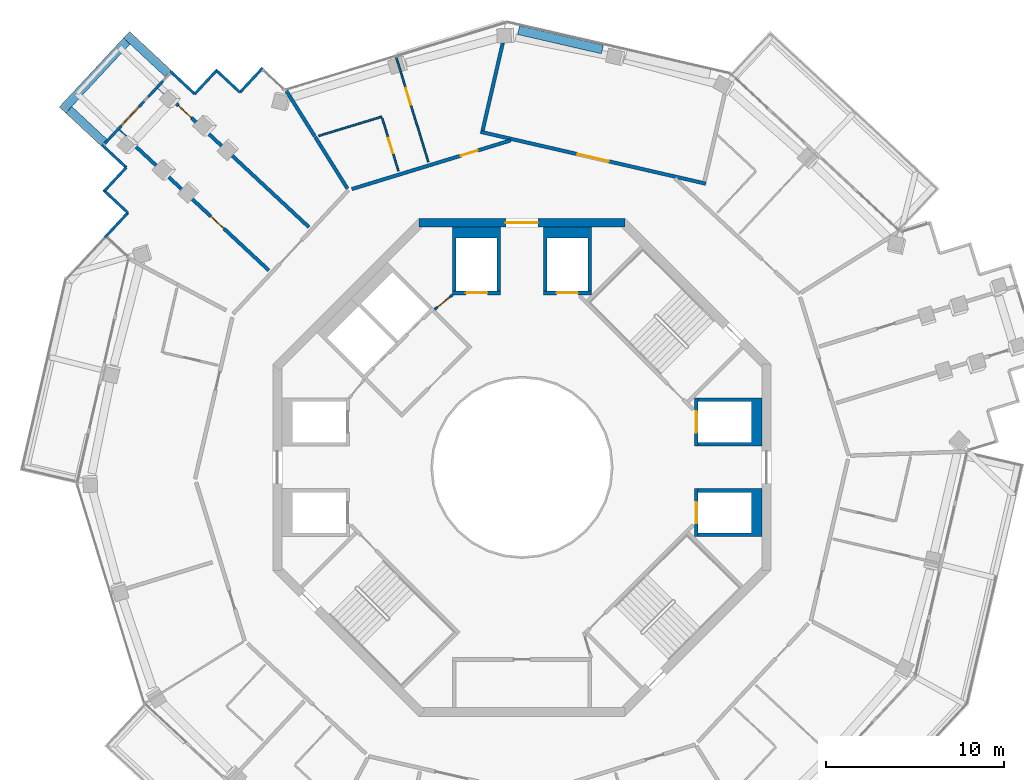
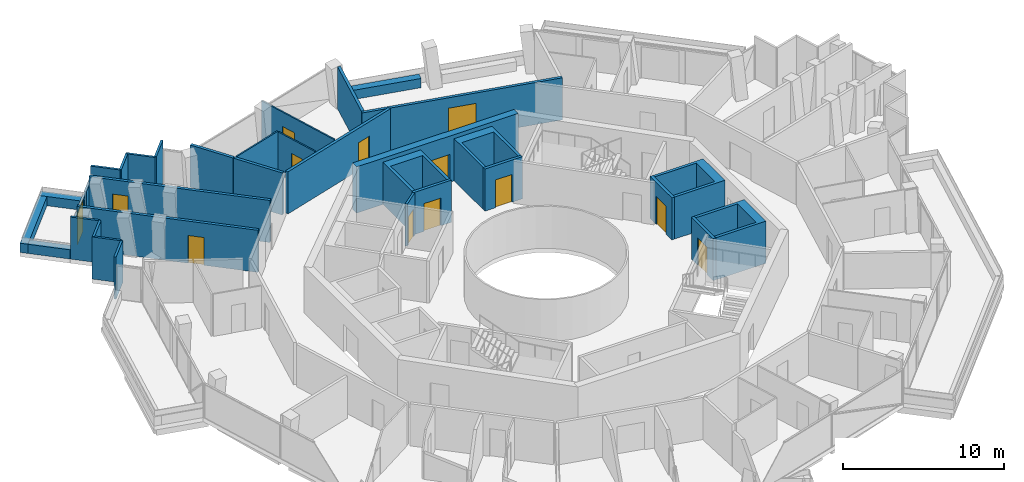
# One storey, part 17 of 21: 34 walls, 13 doors, 13 openings.
"""IFC4 building model written with IfcOpenShell, lengths in metres."""

from ifc_helpers import new_model, si_unit, direction, frame, frame_2d, origin, place, context, subcontext, project, spatial, polyline, rectangle, outline, extrude, material, layer, layer_set, type_object, element, fill, save


model = new_model("IFC4")

# Units and contexts
model_context = context("Model", 3, precision=1e-05, world=origin(), true_north=direction((0.0, 1.0)))
body_context = subcontext(model_context, "Body", "Model", "MODEL_VIEW")
ifc_project = project(units=[si_unit("LENGTHUNIT", "METRE"), si_unit("AREAUNIT", "SQUARE_METRE"), si_unit("VOLUMEUNIT", "CUBIC_METRE"), si_unit("PLANEANGLEUNIT", "RADIAN"), si_unit("MASSUNIT", "GRAM", prefix="KILO")], contexts=[model_context])

# Site, building, storey
site_placement = place(None, origin())
site = spatial("IfcSite", under=ifc_project, at=site_placement, CompositionType="ELEMENT")
building_placement = place(site_placement, origin())
building = spatial("IfcBuilding", under=site, at=building_placement, Name="Verdalira Terraces Hotel", CompositionType="ELEMENT")
storey_placement = place(building_placement, frame((0.0, 0.0, 227.0)))
storey = spatial("IfcBuildingStorey", under=building, at=storey_placement, Name="L55", CompositionType="ELEMENT", Elevation=227.0)

# Walls
ifc_material_1 = material(Name="Concrete C40", Category="concrete")
ifc_layer_1 = layer(ifc_material_1, 0.5)
ifc_layer_set_1 = layer_set([ifc_layer_1], Name="Balcony planter trough with tree")
wall_type_1 = type_object("IfcWallType", Name="Balcony planter trough with tree", PredefinedType="SOLIDWALL", material=ifc_layer_set_1)
wall_1_placement = place(storey_placement, frame((-19.887695, 22.140625, 0.0), z_axis=(0.0, 0.0, 1.0), x_axis=(-0.731844096, 0.681472097, 0.0)))
element("IfcWall", 1, at=wall_1_placement, inside=storey, type_object=wall_type_1, Name="Balcony planter", PredefinedType="SOLIDWALL", context=body_context, shape_type="SweptSolid", body=[
    extrude(rectangle(XDim=3.198975, YDim=0.5, at=frame_2d((1.599609, 0.0))), origin(), (0.0, 0.0, 1.0), 0.699951),
])
wall_2_placement = place(storey_placement, frame((-22.216064, 23.967285, 0.0), z_axis=(0.0, 0.0, 1.0), x_axis=(-0.681484043, -0.731832972, 0.0)))
element("IfcWall", 2, at=wall_2_placement, inside=storey, type_object=wall_type_1, Name="Balcony planter", PredefinedType="SOLIDWALL", context=body_context, shape_type="SweptSolid", body=[
    extrude(rectangle(XDim=5.300049, YDim=0.5, at=frame_2d((2.649902, 0.0))), origin(), (0.0, 0.0, 1.0), 0.699951),
])
wall_3_placement = place(storey_placement, frame((-25.474609, 20.101318, 0.0), z_axis=(0.0, 0.0, 1.0), x_axis=(0.731806852, -0.681512092, 0.0)))
element("IfcWall", 3, at=wall_3_placement, inside=storey, type_object=wall_type_1, Name="Balcony planter", PredefinedType="SOLIDWALL", context=body_context, shape_type="SweptSolid", body=[
    extrude(rectangle(XDim=2.698975, YDim=0.5, at=frame_2d((1.349609, 0.0))), origin(), (0.0, 0.0, 1.0), 0.699951),
])
ifc_material_2 = material(Name="Moisture-resistant gypsum board partition")
ifc_layer_2 = layer(ifc_material_2, 0.10009765625)
ifc_layer_set_2 = layer_set([ifc_layer_2], Name="Bathroom partition 100 mm")
wall_type_2 = type_object("IfcWallType", Name="Bathroom partition 100 mm", PredefinedType="PARTITIONING", material=ifc_layer_set_2)
wall_4_placement = place(storey_placement, frame((-7.881348, 19.714111, 0.0), z_axis=(0.0, 0.0, 1.0), x_axis=(-0.956113314, -0.292997151, 0.0)))
element("IfcWall", 4, at=wall_4_placement, inside=storey, type_object=wall_type_2, Name="Bathroom partition", PredefinedType="PARTITIONING", context=body_context, shape_type="SweptSolid", body=[
    extrude(rectangle(XDim=3.703857, YDim=0.100098, at=frame_2d((1.852051, 0.0))), origin(), (0.0, 0.0, 1.0), 3.189941),
])

# Wall, opening, door
wall_5_placement = place(storey_placement, frame((-6.943604, 16.654785, 0.0), z_axis=(0.0, 0.0, 1.0), x_axis=(-0.293050781, 0.956096878, 0.0)))
wall_5 = element("IfcWall", 5, at=wall_5_placement, inside=storey, type_object=wall_type_2, Name="Bathroom partition", PredefinedType="PARTITIONING", context=body_context, shape_type="SweptSolid", body=[
    extrude(rectangle(XDim=3.099854, YDim=0.100098, at=frame_2d((1.549805, 0.0))), origin(), (0.0, 0.0, 1.0), 3.189941),
])
opening_1_placement = place(wall_5_placement, frame((1.050049, 0.0, 0.0)))
opening_1 = element("IfcOpeningElement", 6, at=opening_1_placement, cuts=wall_5, Name="Opening L55-132", PredefinedType="OPENING", context=body_context, shape_type="SweptSolid", body=[
    extrude(rectangle(XDim=0.899902, YDim=2.100098, at=frame_2d((0.449951, 1.050049))), frame((0.0, 0.060059, 0.0), z_axis=(0.0, -1.0, 0.0), x_axis=(1.0, 0.0, 0.0)), (0.0, 0.0, 1.0), 0.120117),
])
ifc_material_3 = material(Name="Timber door", Category="wood")
door_type_1 = type_object("IfcDoorType", Name="Bathroom door 900 x 2100", OperationType="NOTDEFINED", PredefinedType="DOOR", material=ifc_material_3)
door_1_placement = place(opening_1_placement, origin())
door_1 = element("IfcDoor", 7, at=door_1_placement, inside=storey, type_object=door_type_1, Name="Bathroom door 5511", OperationType="SINGLE_SWING_RIGHT", OverallHeight=2.10009765625, OverallWidth=0.89990234375, PredefinedType="DOOR", context=body_context, shape_type="SweptSolid", body=[
    extrude(rectangle(XDim=0.899902, YDim=2.100098, at=frame_2d((0.449951, 1.050049))), frame((0.0, 0.024902, 0.0), z_axis=(0.0, -1.0, 0.0), x_axis=(1.0, 0.0, 0.0)), (0.0, 0.0, 1.0), 0.050049),
])
fill(opening_1, door_1)

wall_6_placement = place(storey_placement, frame((-5.262451, 17.169922, 0.0), z_axis=(0.0, 0.0, 1.0), x_axis=(-0.293042397, 0.956099448, 0.0)))
wall_6 = element("IfcWall", 8, at=wall_6_placement, inside=storey, type_object=wall_type_2, Name="Bathroom partition", PredefinedType="PARTITIONING", context=body_context, shape_type="SweptSolid", body=[
    extrude(rectangle(XDim=6.150146, YDim=0.100098, at=frame_2d((3.075195, 0.0))), origin(), (0.0, 0.0, 1.0), 3.189941),
])
opening_2_placement = place(wall_6_placement, frame((3.350098, 0.0, 0.0)))
opening_2 = element("IfcOpeningElement", 9, at=opening_2_placement, cuts=wall_6, Name="Opening L55-131", PredefinedType="OPENING", context=body_context, shape_type="SweptSolid", body=[
    extrude(rectangle(XDim=1.0, YDim=2.100098, at=frame_2d((0.5, 1.050049))), frame((0.0, 0.060059, 0.0), z_axis=(0.0, -1.0, 0.0), x_axis=(1.0, 0.0, 0.0)), (0.0, 0.0, 1.0), 0.120117),
])
ifc_material_4 = material(Name="Timber door", Category="wood")
door_type_2 = type_object("IfcDoorType", Name="Suite internal door 1000 x 2100", OperationType="NOTDEFINED", PredefinedType="DOOR", material=ifc_material_4)
door_2_placement = place(opening_2_placement, origin())
door_2 = element("IfcDoor", 10, at=door_2_placement, inside=storey, type_object=door_type_2, Name="Suite internal door 5511", OperationType="SINGLE_SWING_LEFT", OverallHeight=2.10009765625, OverallWidth=1.0, PredefinedType="DOOR", context=body_context, shape_type="SweptSolid", body=[
    extrude(rectangle(XDim=1.0, YDim=2.100098, at=frame_2d((0.5, 1.050049))), frame((0.0, 0.024902, 0.0), z_axis=(0.0, -1.0, 0.0), x_axis=(1.0, 0.0, 0.0)), (0.0, 0.0, 1.0), 0.050049),
])
fill(opening_2, door_2)

# Wall
ifc_material_5 = material(Name="Concrete C50", Category="concrete")
ifc_layer_3 = layer(ifc_material_5, 0.199951171875)
ifc_layer_set_3 = layer_set([ifc_layer_3], Name="Core RC wall 200 C50")
wall_type_3 = type_object("IfcWallType", Name="Core RC wall 200 C50", PredefinedType="SOLIDWALL", material=ifc_layer_set_3)
wall_7_placement = place(storey_placement, origin())
element("IfcWall", 11, at=wall_7_placement, inside=storey, type_object=wall_type_3, Name="L55 shaft wall E1", PredefinedType="SOLIDWALL", context=body_context, shape_type="SweptSolid", body=[
    extrude(outline(polyline([(13.5, -3.899902), (9.899902, -3.899902), (9.899902, -3.699951), (12.899902, -3.699951), (12.899902, -1.399902), (9.899902, -1.399902), (9.899902, -1.199951), (13.5, -1.199951), (13.5, -3.899902)])), origin(), (0.0, 0.0, 1.0), 3.189941),
])

# Wall, opening, door
wall_8_placement = place(storey_placement, frame((9.800049, -1.199951, 0.0), z_axis=(0.0, 0.0, 1.0), x_axis=(0.0, -1.0, 0.0)))
wall_8 = element("IfcWall", 12, at=wall_8_placement, inside=storey, type_object=wall_type_3, Name="L55 shaft front wall E1", PredefinedType="SOLIDWALL", context=body_context, shape_type="SweptSolid", body=[
    extrude(rectangle(XDim=2.699951, YDim=0.199951, at=frame_2d((1.350098, 0.0))), origin(), (0.0, 0.0, 1.0), 3.189941),
])
opening_3_placement = place(wall_8_placement, frame((0.75, 0.0, 0.0)))
opening_3 = element("IfcOpeningElement", 13, at=opening_3_placement, cuts=wall_8, Name="Opening LD-L55-802", PredefinedType="OPENING", context=body_context, shape_type="SweptSolid", body=[
    extrude(rectangle(XDim=1.199951, YDim=2.100098, at=frame_2d((0.600098, 1.050049))), frame((0.0, 0.109863, 0.0), z_axis=(0.0, -1.0, 0.0), x_axis=(1.0, 0.0, 0.0)), (0.0, 0.0, 1.0), 0.219971),
])
ifc_material_6 = material(Name="Stainless steel", Category="steel")
door_type_3 = type_object("IfcDoorType", Name="Landing door 1200 x 2100", OperationType="NOTDEFINED", PredefinedType="DOOR", material=ifc_material_6)
door_3_placement = place(opening_3_placement, origin())
door_3 = element("IfcDoor", 14, at=door_3_placement, inside=storey, type_object=door_type_3, Name="Lift landing door HR1 L55", OperationType="DOUBLE_DOOR_SLIDING", OverallHeight=2.10009765625, OverallWidth=1.199951171875, PredefinedType="DOOR", context=body_context, shape_type="SweptSolid", body=[
    extrude(rectangle(XDim=1.199951, YDim=2.100098, at=frame_2d((0.600098, 1.050049))), frame((0.0, 0.024902, 0.0), z_axis=(0.0, -1.0, 0.0), x_axis=(1.0, 0.0, 0.0)), (0.0, 0.0, 1.0), 0.050049),
])
fill(opening_3, door_3)

# Wall
wall_9_placement = place(storey_placement, origin())
element("IfcWall", 15, at=wall_9_placement, inside=storey, type_object=wall_type_3, Name="L55 shaft wall E2", PredefinedType="SOLIDWALL", context=body_context, shape_type="SweptSolid", body=[
    extrude(outline(polyline([(13.5, 3.899902), (13.5, 1.199951), (9.899902, 1.199951), (9.899902, 1.399902), (12.899902, 1.399902), (12.899902, 3.699951), (9.899902, 3.699951), (9.899902, 3.899902), (13.5, 3.899902)])), origin(), (0.0, 0.0, 1.0), 3.189941),
])

# Wall, opening, door
wall_10_placement = place(storey_placement, frame((9.800049, 1.199951, 0.0), z_axis=(0.0, 0.0, 1.0), x_axis=(0.0, 1.0, 0.0)))
wall_10 = element("IfcWall", 16, at=wall_10_placement, inside=storey, type_object=wall_type_3, Name="L55 shaft front wall E2", PredefinedType="SOLIDWALL", context=body_context, shape_type="SweptSolid", body=[
    extrude(rectangle(XDim=2.699951, YDim=0.199951, at=frame_2d((1.350098, 0.0))), origin(), (0.0, 0.0, 1.0), 3.189941),
])
opening_4_placement = place(wall_10_placement, frame((0.75, 0.0, 0.0)))
opening_4 = element("IfcOpeningElement", 17, at=opening_4_placement, cuts=wall_10, Name="Opening LD-L55-803", PredefinedType="OPENING", context=body_context, shape_type="SweptSolid", body=[
    extrude(rectangle(XDim=1.199951, YDim=2.100098, at=frame_2d((0.600098, 1.050049))), frame((0.0, 0.109863, 0.0), z_axis=(0.0, -1.0, 0.0), x_axis=(1.0, 0.0, 0.0)), (0.0, 0.0, 1.0), 0.219971),
])
door_4_placement = place(opening_4_placement, origin())
door_4 = element("IfcDoor", 18, at=door_4_placement, inside=storey, type_object=door_type_3, Name="Lift landing door HR2 L55", OperationType="DOUBLE_DOOR_SLIDING", OverallHeight=2.10009765625, OverallWidth=1.199951171875, PredefinedType="DOOR", context=body_context, shape_type="SweptSolid", body=[
    extrude(rectangle(XDim=1.199951, YDim=2.100098, at=frame_2d((0.600098, 1.050049))), frame((0.0, 0.024902, 0.0), z_axis=(0.0, -1.0, 0.0), x_axis=(1.0, 0.0, 0.0)), (0.0, 0.0, 1.0), 0.050049),
])
fill(opening_4, door_4)

# Wall
wall_11_placement = place(storey_placement, origin())
element("IfcWall", 19, at=wall_11_placement, inside=storey, type_object=wall_type_3, Name="L55 shaft wall N1", PredefinedType="SOLIDWALL", context=body_context, shape_type="SweptSolid", body=[
    extrude(outline(polyline([(3.899902, 9.899902), (3.699951, 9.899902), (3.699951, 12.899902), (1.399902, 12.899902), (1.399902, 9.899902), (1.199951, 9.899902), (1.199951, 13.5), (3.899902, 13.5), (3.899902, 9.899902)])), origin(), (0.0, 0.0, 1.0), 3.189941),
])

# Wall, opening, door
wall_12_placement = place(storey_placement, frame((1.199951, 9.800049, 0.0), z_axis=(0.0, 0.0, 1.0), x_axis=(1.0, 0.0, 0.0)))
wall_12 = element("IfcWall", 20, at=wall_12_placement, inside=storey, type_object=wall_type_3, Name="L55 shaft front wall N1", PredefinedType="SOLIDWALL", context=body_context, shape_type="SweptSolid", body=[
    extrude(rectangle(XDim=2.699951, YDim=0.199951, at=frame_2d((1.350098, 0.0))), origin(), (0.0, 0.0, 1.0), 3.189941),
])
opening_5_placement = place(wall_12_placement, frame((0.75, 0.0, 0.0)))
opening_5 = element("IfcOpeningElement", 21, at=opening_5_placement, cuts=wall_12, Name="Opening LD-L55-804", PredefinedType="OPENING", context=body_context, shape_type="SweptSolid", body=[
    extrude(rectangle(XDim=1.199951, YDim=2.100098, at=frame_2d((0.600098, 1.050049))), frame((0.0, 0.109863, 0.0), z_axis=(0.0, -1.0, 0.0), x_axis=(1.0, 0.0, 0.0)), (0.0, 0.0, 1.0), 0.219971),
])
door_5_placement = place(opening_5_placement, origin())
door_5 = element("IfcDoor", 22, at=door_5_placement, inside=storey, type_object=door_type_3, Name="Lift landing door HR3 L55", OperationType="DOUBLE_DOOR_SLIDING", OverallHeight=2.10009765625, OverallWidth=1.199951171875, PredefinedType="DOOR", context=body_context, shape_type="SweptSolid", body=[
    extrude(rectangle(XDim=1.199951, YDim=2.100098, at=frame_2d((0.600098, 1.050049))), frame((0.0, 0.024902, 0.0), z_axis=(0.0, -1.0, 0.0), x_axis=(1.0, 0.0, 0.0)), (0.0, 0.0, 1.0), 0.050049),
])
fill(opening_5, door_5)

# Wall
wall_13_placement = place(storey_placement, origin())
element("IfcWall", 23, at=wall_13_placement, inside=storey, type_object=wall_type_3, Name="L55 shaft wall N2", PredefinedType="SOLIDWALL", context=body_context, shape_type="SweptSolid", body=[
    extrude(outline(polyline([(-3.899902, 13.5), (-1.199951, 13.5), (-1.199951, 9.899902), (-1.399902, 9.899902), (-1.399902, 12.899902), (-3.699951, 12.899902), (-3.699951, 9.899902), (-3.899902, 9.899902), (-3.899902, 13.5)])), origin(), (0.0, 0.0, 1.0), 3.189941),
])

# Wall, opening, door
wall_14_placement = place(storey_placement, frame((-1.199951, 9.800049, 0.0), z_axis=(0.0, 0.0, 1.0), x_axis=(-1.0, 0.0, 0.0)))
wall_14 = element("IfcWall", 24, at=wall_14_placement, inside=storey, type_object=wall_type_3, Name="L55 shaft front wall N2", PredefinedType="SOLIDWALL", context=body_context, shape_type="SweptSolid", body=[
    extrude(rectangle(XDim=2.699951, YDim=0.199951, at=frame_2d((1.350098, 0.0))), origin(), (0.0, 0.0, 1.0), 3.189941),
])
opening_6_placement = place(wall_14_placement, frame((0.75, 0.0, 0.0)))
opening_6 = element("IfcOpeningElement", 25, at=opening_6_placement, cuts=wall_14, Name="Opening LD-L55-805", PredefinedType="OPENING", context=body_context, shape_type="SweptSolid", body=[
    extrude(rectangle(XDim=1.199951, YDim=2.100098, at=frame_2d((0.600098, 1.050049))), frame((0.0, 0.109863, 0.0), z_axis=(0.0, -1.0, 0.0), x_axis=(1.0, 0.0, 0.0)), (0.0, 0.0, 1.0), 0.219971),
])
door_6_placement = place(opening_6_placement, origin())
door_6 = element("IfcDoor", 26, at=door_6_placement, inside=storey, type_object=door_type_3, Name="Lift landing door HR4 L55", OperationType="DOUBLE_DOOR_SLIDING", OverallHeight=2.10009765625, OverallWidth=1.199951171875, PredefinedType="DOOR", context=body_context, shape_type="SweptSolid", body=[
    extrude(rectangle(XDim=1.199951, YDim=2.100098, at=frame_2d((0.600098, 1.050049))), frame((0.0, 0.024902, 0.0), z_axis=(0.0, -1.0, 0.0), x_axis=(1.0, 0.0, 0.0)), (0.0, 0.0, 1.0), 0.050049),
])
fill(opening_6, door_6)

ifc_material_7 = material(Name="Gypsum board partition")
ifc_layer_4 = layer(ifc_material_7, 0.14990234375)
ifc_layer_set_4 = layer_set([ifc_layer_4], Name="Core partition 150 mm")
wall_type_4 = type_object("IfcWallType", Name="Core partition 150 mm", PredefinedType="PARTITIONING", material=ifc_layer_set_4)
wall_15_placement = place(storey_placement, frame((-3.899902, 9.699951, 0.0), z_axis=(0.0, 0.0, 1.0), x_axis=(-0.775559878, -0.631274009, 0.0)))
wall_15 = element("IfcWall", 27, at=wall_15_placement, inside=storey, type_object=wall_type_4, Name="Room partition L55", PredefinedType="PARTITIONING", context=body_context, shape_type="SweptSolid", body=[
    extrude(rectangle(XDim=1.307861, YDim=0.149902, at=frame_2d((0.653809, 0.0))), origin(), (0.0, 0.0, 1.0), 3.189941),
])
opening_7_placement = place(wall_15_placement, frame((0.204102, 0.0, 0.0)))
opening_7 = element("IfcOpeningElement", 28, at=opening_7_placement, cuts=wall_15, Name="Opening L55-820", PredefinedType="OPENING", context=body_context, shape_type="SweptSolid", body=[
    extrude(rectangle(XDim=0.899902, YDim=2.100098, at=frame_2d((0.449951, 1.050049))), frame((0.0, 0.084961, 0.0), z_axis=(0.0, -1.0, 0.0), x_axis=(1.0, 0.0, 0.0)), (0.0, 0.0, 1.0), 0.169922),
])
ifc_material_8 = material(Name="Steel fire door", Category="steel")
door_type_4 = type_object("IfcDoorType", Name="Core room door 900 x 2100", OperationType="NOTDEFINED", PredefinedType="DOOR", material=ifc_material_8)
door_7_placement = place(opening_7_placement, origin())
door_7 = element("IfcDoor", 29, at=door_7_placement, inside=storey, type_object=door_type_4, Name="Door L55 room2", OperationType="SINGLE_SWING_LEFT", OverallHeight=2.10009765625, OverallWidth=0.89990234375, PredefinedType="DOOR", context=body_context, shape_type="SweptSolid", body=[
    extrude(rectangle(XDim=0.899902, YDim=2.100098, at=frame_2d((0.449951, 1.050049))), frame((0.0, 0.024902, 0.0), z_axis=(0.0, -1.0, 0.0), x_axis=(1.0, 0.0, 0.0)), (0.0, 0.0, 1.0), 0.050049),
])
fill(opening_7, door_7)

ifc_material_9 = material(Name="Concrete C50", Category="concrete")
ifc_layer_5 = layer(ifc_material_9, 0.5)
ifc_layer_set_5 = layer_set([ifc_layer_5], Name="Core wall 500 C50")
wall_type_5 = type_object("IfcWallType", Name="Core wall 500 C50", PredefinedType="SHEAR", material=ifc_layer_set_5)
wall_16_placement = place(storey_placement, frame((5.799072, 13.75, 0.0), z_axis=(0.0, 0.0, 1.0), x_axis=(-1.0, 0.0, 0.0)))
wall_16 = element("IfcWall", 30, at=wall_16_placement, inside=storey, type_object=wall_type_5, Name="Core wall CW-L55-3", PredefinedType="SHEAR", context=body_context, shape_type="SweptSolid", body=[
    extrude(rectangle(XDim=11.598145, YDim=0.5, at=frame_2d((5.799072, 0.0))), origin(), (0.0, 0.0, 1.0), 3.5),
])
opening_8_placement = place(wall_16_placement, frame((4.898926, 0.0, 0.0)))
opening_8 = element("IfcOpeningElement", 31, at=opening_8_placement, cuts=wall_16, Name="Opening L55-814", PredefinedType="OPENING", context=body_context, shape_type="SweptSolid", body=[
    extrude(rectangle(XDim=1.800049, YDim=2.100098, at=frame_2d((0.899902, 1.050049))), frame((0.0, 0.26001, 0.0), z_axis=(0.0, -1.0, 0.0), x_axis=(1.0, 0.0, 0.0)), (0.0, 0.0, 1.0), 0.52002),
])
ifc_material_10 = material(Name="Steel fire door", Category="steel")
door_type_5 = type_object("IfcDoorType", Name="Core entry door pair 1800 x 2100", OperationType="NOTDEFINED", PredefinedType="DOOR", material=ifc_material_10)
door_8_placement = place(opening_8_placement, origin())
door_8 = element("IfcDoor", 32, at=door_8_placement, inside=storey, type_object=door_type_5, Name="Core entry door L55 2", OperationType="DOUBLE_DOOR_SINGLE_SWING", OverallHeight=2.10009765625, OverallWidth=1.800048828125, PredefinedType="DOOR", context=body_context, shape_type="SweptSolid", body=[
    extrude(rectangle(XDim=1.800049, YDim=2.100098, at=frame_2d((0.899902, 1.050049))), frame((0.0, 0.024902, 0.0), z_axis=(0.0, -1.0, 0.0), x_axis=(1.0, 0.0, 0.0)), (0.0, 0.0, 1.0), 0.050049),
])
fill(opening_8, door_8)

ifc_material_11 = material(Name="Fire-rated gypsum board wall")
ifc_layer_6 = layer(ifc_material_11, 0.199951171875)
ifc_layer_set_6 = layer_set([ifc_layer_6], Name="Demising wall 200 mm")
wall_type_6 = type_object("IfcWallType", Name="Demising wall 200 mm", PredefinedType="SOLIDWALL", material=ifc_layer_set_6)
wall_17_placement = place(storey_placement, frame((-14.228516, 11.072021, 0.0), z_axis=(0.0, 0.0, 1.0), x_axis=(-0.731837547, 0.68147913, 0.0)))
wall_17 = element("IfcWall", 33, at=wall_17_placement, inside=storey, type_object=wall_type_6, Name="Demising wall", PredefinedType="SOLIDWALL", context=body_context, shape_type="SweptSolid", body=[
    extrude(rectangle(XDim=11.533447, YDim=0.199951, at=frame_2d((5.766602, 0.0))), origin(), (0.0, 0.0, 1.0), 3.189941),
])
opening_9_placement = place(wall_17_placement, frame((3.449951, 0.0, 0.0)))
opening_9 = element("IfcOpeningElement", 34, at=opening_9_placement, cuts=wall_17, Name="Opening L55-103", PredefinedType="OPENING", context=body_context, shape_type="SweptSolid", body=[
    extrude(rectangle(XDim=1.0, YDim=2.100098, at=frame_2d((0.5, 1.050049))), frame((0.0, 0.109863, 0.0), z_axis=(0.0, -1.0, 0.0), x_axis=(1.0, 0.0, 0.0)), (0.0, 0.0, 1.0), 0.219971),
])
ifc_material_12 = material(Name="Timber fire door", Category="wood")
door_type_6 = type_object("IfcDoorType", Name="Public room door 1000 x 2100", OperationType="NOTDEFINED", PredefinedType="DOOR", material=ifc_material_12)
door_9_placement = place(opening_9_placement, origin())
door_9 = element("IfcDoor", 35, at=door_9_placement, inside=storey, type_object=door_type_6, Name="Public room door 5501", OperationType="SINGLE_SWING_LEFT", OverallHeight=2.10009765625, OverallWidth=1.0, PredefinedType="DOOR", context=body_context, shape_type="SweptSolid", body=[
    extrude(rectangle(XDim=1.0, YDim=2.100098, at=frame_2d((0.5, 1.050049))), frame((0.0, 0.024902, 0.0), z_axis=(0.0, -1.0, 0.0), x_axis=(1.0, 0.0, 0.0)), (0.0, 0.0, 1.0), 0.050049),
])
fill(opening_9, door_9)

wall_18_placement = place(storey_placement, frame((-20.4104, 21.357666, 0.0), z_axis=(0.0, 0.0, 1.0), x_axis=(0.731837547, -0.68147913, 0.0)))
wall_18 = element("IfcWall", 36, at=wall_18_placement, inside=storey, type_object=wall_type_6, Name="Demising wall", PredefinedType="SOLIDWALL", context=body_context, shape_type="SweptSolid", body=[
    extrude(rectangle(XDim=11.533447, YDim=0.199951, at=frame_2d((5.766602, 0.0))), origin(), (0.0, 0.0, 1.0), 3.189941),
])
opening_10_placement = place(wall_18_placement, frame((1.5, 0.0, 0.0)))
opening_10 = element("IfcOpeningElement", 37, at=opening_10_placement, cuts=wall_18, Name="Opening L55-102", PredefinedType="OPENING", context=body_context, shape_type="SweptSolid", body=[
    extrude(rectangle(XDim=1.0, YDim=2.100098, at=frame_2d((0.5, 1.050049))), frame((0.0, 0.109863, 0.0), z_axis=(0.0, -1.0, 0.0), x_axis=(1.0, 0.0, 0.0)), (0.0, 0.0, 1.0), 0.219971),
])
door_10_placement = place(opening_10_placement, origin())
door_10 = element("IfcDoor", 38, at=door_10_placement, inside=storey, type_object=door_type_6, Name="Public room door 5501", OperationType="SINGLE_SWING_LEFT", OverallHeight=2.10009765625, OverallWidth=1.0, PredefinedType="DOOR", context=body_context, shape_type="SweptSolid", body=[
    extrude(rectangle(XDim=1.0, YDim=2.100098, at=frame_2d((0.5, 1.050049))), frame((0.0, 0.024902, 0.0), z_axis=(0.0, -1.0, 0.0), x_axis=(1.0, 0.0, 0.0)), (0.0, 0.0, 1.0), 0.050049),
])
fill(opening_10, door_10)

# Walls
wall_19_placement = place(storey_placement, frame((-13.243652, 21.161621, 0.0), z_axis=(0.0, 0.0, 1.0), x_axis=(0.530523518, -0.847670217, 0.0)))
element("IfcWall", 39, at=wall_19_placement, inside=storey, type_object=wall_type_6, Name="Demising wall", PredefinedType="SOLIDWALL", context=body_context, shape_type="SweptSolid", body=[
    extrude(rectangle(XDim=3.011475, YDim=0.199951, at=frame_2d((1.505859, 0.0))), origin(), (0.0, 0.0, 1.0), 3.189941),
])
wall_20_placement = place(storey_placement, frame((-11.621826, 18.569824, 0.0), z_axis=(0.0, 0.0, 1.0), x_axis=(0.530506006, -0.847681177, 0.0)))
element("IfcWall", 40, at=wall_20_placement, inside=storey, type_object=wall_type_6, Name="Demising wall", PredefinedType="SOLIDWALL", context=body_context, shape_type="SweptSolid", body=[
    extrude(rectangle(XDim=3.418457, YDim=0.199951, at=frame_2d((1.709229, 0.0))), origin(), (0.0, 0.0, 1.0), 3.189941),
])

# Wall, opening, door
ifc_material_13 = material(Name="Fire-rated gypsum board wall")
ifc_layer_7 = layer(ifc_material_13, 0.199951171875)
ifc_layer_set_7 = layer_set([ifc_layer_7], Name="Guest corridor wall 200 mm")
wall_type_7 = type_object("IfcWallType", Name="Guest corridor wall 200 mm", PredefinedType="SOLIDWALL", material=ifc_layer_set_7)
wall_21_placement = place(storey_placement, frame((-9.562012, 15.643066, 0.0), z_axis=(0.0, 0.0, 1.0), x_axis=(0.956105208, 0.293023601, 0.0)))
wall_21 = element("IfcWall", 41, at=wall_21_placement, inside=storey, type_object=wall_type_7, Name="Guest corridor wall", PredefinedType="SOLIDWALL", context=body_context, shape_type="SweptSolid", body=[
    extrude(rectangle(XDim=9.33667, YDim=0.199951, at=frame_2d((4.668457, 0.0))), origin(), (0.0, 0.0, 1.0), 3.189941),
])
opening_11_placement = place(wall_21_placement, frame((6.408203, 0.0, 0.0)))
opening_11 = element("IfcOpeningElement", 42, at=opening_11_placement, cuts=wall_21, Name="Opening L55-130", PredefinedType="OPENING", context=body_context, shape_type="SweptSolid", body=[
    extrude(rectangle(XDim=1.0, YDim=2.100098, at=frame_2d((0.5, 1.050049))), frame((0.0, 0.109863, 0.0), z_axis=(0.0, -1.0, 0.0), x_axis=(1.0, 0.0, 0.0)), (0.0, 0.0, 1.0), 0.219971),
])
ifc_material_14 = material(Name="Timber fire door", Category="wood")
door_type_7 = type_object("IfcDoorType", Name="Guest entry door 1000 x 2100", OperationType="NOTDEFINED", PredefinedType="DOOR", material=ifc_material_14)
door_11_placement = place(opening_11_placement, origin())
door_11 = element("IfcDoor", 43, at=door_11_placement, inside=storey, type_object=door_type_7, Name="Guest entry door 5511", OperationType="SINGLE_SWING_LEFT", OverallHeight=2.10009765625, OverallWidth=1.0, PredefinedType="DOOR", context=body_context, shape_type="SweptSolid", body=[
    extrude(rectangle(XDim=1.0, YDim=2.100098, at=frame_2d((0.5, 1.050049))), frame((0.0, 0.024902, 0.0), z_axis=(0.0, -1.0, 0.0), x_axis=(1.0, 0.0, 0.0)), (0.0, 0.0, 1.0), 0.050049),
])
fill(opening_11, door_11)

ifc_material_15 = material(Name="Terracotta cladding", Category="masonry")
ifc_layer_8 = layer(ifc_material_15, 0.199951171875)
ifc_layer_set_8 = layer_set([ifc_layer_8], Name="Loggia back wall 200")
wall_type_8 = type_object("IfcWallType", Name="Loggia back wall 200", PredefinedType="SOLIDWALL", material=ifc_layer_set_8)
wall_22_placement = place(storey_placement, frame((-2.329346, 18.861084, 0.0), z_axis=(0.0, 0.0, 1.0), x_axis=(0.974527119, -0.224269692, 0.0)))
wall_22 = element("IfcWall", 44, at=wall_22_placement, inside=storey, type_object=wall_type_8, Name="Loggia back wall", PredefinedType="SOLIDWALL", context=body_context, shape_type="SweptSolid", body=[
    extrude(rectangle(XDim=13.0, YDim=0.199951, at=frame_2d((6.5, 0.0))), origin(), (0.0, 0.0, 1.0), 3.189941),
])
opening_12_placement = place(wall_22_placement, frame((5.600098, 0.0, 0.0)))
opening_12 = element("IfcOpeningElement", 45, at=opening_12_placement, cuts=wall_22, Name="Opening L55-L01", PredefinedType="OPENING", context=body_context, shape_type="SweptSolid", body=[
    extrude(rectangle(XDim=1.800049, YDim=2.399902, at=frame_2d((0.899902, 1.199951))), frame((0.0, 0.109863, 0.0), z_axis=(0.0, -1.0, 0.0), x_axis=(1.0, 0.0, 0.0)), (0.0, 0.0, 1.0), 0.219971),
])
ifc_material_16 = material(Name="Clear glass", Category="glass")
door_type_8 = type_object("IfcDoorType", Name="Garden double door 1800x2400", OperationType="NOTDEFINED", PredefinedType="DOOR", material=ifc_material_16)
door_12_placement = place(opening_12_placement, origin())
door_12 = element("IfcDoor", 46, at=door_12_placement, inside=storey, type_object=door_type_8, Name="Loggia double door", OperationType="DOUBLE_DOOR_SINGLE_SWING", OverallHeight=2.39990234375, OverallWidth=1.800048828125, PredefinedType="DOOR", context=body_context, shape_type="SweptSolid", body=[
    extrude(rectangle(XDim=1.800049, YDim=2.399902, at=frame_2d((0.899902, 1.199951))), frame((0.0, 0.024902, 0.0), z_axis=(0.0, -1.0, 0.0), x_axis=(1.0, 0.0, 0.0)), (0.0, 0.0, 1.0), 0.050049),
])
fill(opening_12, door_12)

# Walls
wall_23_placement = place(storey_placement, frame((-1.076416, 23.859619, 0.0), z_axis=(0.0, 0.0, 1.0), x_axis=(-0.224277121, -0.974525409, 0.0)))
element("IfcWall", 47, at=wall_23_placement, inside=storey, type_object=wall_type_8, Name="Loggia side wall", PredefinedType="SOLIDWALL", context=body_context, shape_type="SweptSolid", body=[
    extrude(rectangle(XDim=5.052002, YDim=0.199951, at=frame_2d((2.525879, 0.0))), origin(), (0.0, 0.0, 1.0), 3.189941),
])
ifc_material_17 = material(Name="Concrete C40", Category="concrete")
ifc_layer_9 = layer(ifc_material_17, 0.5)
ifc_layer_set_9 = layer_set([ifc_layer_9], Name="Loggia planter trough with tree")
wall_type_9 = type_object("IfcWallType", Name="Loggia planter trough with tree", PredefinedType="SOLIDWALL", material=ifc_layer_set_9)
wall_24_placement = place(storey_placement, frame((4.522705, 23.492432, 0.0), z_axis=(0.0, 0.0, 1.0), x_axis=(-0.974528043, 0.224265677, 0.0)))
element("IfcWall", 48, at=wall_24_placement, inside=storey, type_object=wall_type_9, Name="Loggia planter", PredefinedType="SOLIDWALL", context=body_context, shape_type="SweptSolid", body=[
    extrude(rectangle(XDim=4.834473, YDim=0.5, at=frame_2d((2.417236, 0.0))), origin(), (0.0, 0.0, 1.0), 0.699951),
])
ifc_material_18 = material(Name="Terracotta cladding", Category="masonry")
ifc_layer_10 = layer(ifc_material_18, 0.14990234375)
ifc_layer_set_10 = layer_set([ifc_layer_10], Name="Terracotta clad wall 150")
wall_type_10 = type_object("IfcWallType", Name="Terracotta clad wall 150", PredefinedType="SOLIDWALL", material=ifc_layer_set_10)
wall_25_placement = place(storey_placement, frame((-14.57373, 22.452881, 0.0), z_axis=(0.0, 0.0, 1.0), x_axis=(-0.681459419, -0.731855902, 0.0)))
element("IfcWall", 49, at=wall_25_placement, inside=storey, type_object=wall_type_10, Name="Terracotta cladding wall", PredefinedType="SOLIDWALL", context=body_context, shape_type="SweptSolid", body=[
    extrude(rectangle(XDim=1.874756, YDim=0.149902, at=frame_2d((0.9375, 0.0))), origin(), (0.0, 0.0, 1.0), 3.189941),
])
wall_26_placement = place(storey_placement, frame((-15.851318, 21.080811, 0.0), z_axis=(0.0, 0.0, 1.0), x_axis=(-0.731884644, 0.681428549, 0.0)))
element("IfcWall", 50, at=wall_26_placement, inside=storey, type_object=wall_type_10, Name="Terracotta cladding wall", PredefinedType="SOLIDWALL", context=body_context, shape_type="SweptSolid", body=[
    extrude(rectangle(XDim=1.800049, YDim=0.149902, at=frame_2d((0.899902, 0.0))), origin(), (0.0, 0.0, 1.0), 3.189941),
])
for number, where, z_axis, x_axis, name in (
    (51, (-17.117676, 22.362305, 0.0), (0.0, 0.0, 1.0), (-0.681529159, -0.731790958, 0.0), "Terracotta cladding wall"),
    (52, (-18.395508, 20.990234, 0.0), (0.0, 0.0, 1.0), (-0.731790958, 0.681529159, 0.0), "Terracotta cladding wall"),
    (53, (-23.61792, 18.133057, 0.0), (0.0, 0.0, 1.0), (0.731790958, -0.681529159, 0.0), "Terracotta cladding wall"),
):
    element("IfcWall", number, at=place(storey_placement, frame(where, z_axis=z_axis, x_axis=x_axis)), inside=storey, type_object=wall_type_10, Name=name, PredefinedType="SOLIDWALL", context=body_context, shape_type="SweptSolid", body=[
        extrude(rectangle(XDim=1.875, YDim=0.149902, at=frame_2d((0.9375, 0.0))), origin(), (0.0, 0.0, 1.0), 3.189941),
    ])
wall_27_placement = place(storey_placement, frame((-22.24585, 16.855225, 0.0), z_axis=(0.0, 0.0, 1.0), x_axis=(-0.681496198, -0.731821653, 0.0)))
element("IfcWall", 54, at=wall_27_placement, inside=storey, type_object=wall_type_10, Name="Terracotta cladding wall", PredefinedType="SOLIDWALL", context=body_context, shape_type="SweptSolid", body=[
    extrude(rectangle(XDim=1.799805, YDim=0.149902, at=frame_2d((0.899902, 0.0))), origin(), (0.0, 0.0, 1.0), 3.189941),
])
wall_28_placement = place(storey_placement, frame((-23.527344, 15.589111, 0.0), z_axis=(0.0, 0.0, 1.0), x_axis=(0.731790958, -0.681529159, 0.0)))
element("IfcWall", 55, at=wall_28_placement, inside=storey, type_object=wall_type_10, Name="Terracotta cladding wall", PredefinedType="SOLIDWALL", context=body_context, shape_type="SweptSolid", body=[
    extrude(rectangle(XDim=1.875, YDim=0.149902, at=frame_2d((0.9375, 0.0))), origin(), (0.0, 0.0, 1.0), 3.189941),
])
wall_29_placement = place(storey_placement, frame((-22.155273, 14.311279, 0.0), z_axis=(0.0, 0.0, 1.0), x_axis=(-0.681459419, -0.731855902, 0.0)))
element("IfcWall", 56, at=wall_29_placement, inside=storey, type_object=wall_type_10, Name="Terracotta cladding wall", PredefinedType="SOLIDWALL", context=body_context, shape_type="SweptSolid", body=[
    extrude(rectangle(XDim=1.874756, YDim=0.149902, at=frame_2d((0.9375, 0.0))), origin(), (0.0, 0.0, 1.0), 3.189941),
])
ifc_material_19 = material(Name="Terracotta cladding", Category="masonry")
ifc_layer_11 = layer(ifc_material_19, 0.14990234375)
ifc_layer_set_11 = layer_set([ifc_layer_11], Name="Terracotta column pier 150")
wall_type_11 = type_object("IfcWallType", Name="Terracotta column pier 150", PredefinedType="SOLIDWALL", material=ifc_layer_set_11)
wall_30_placement = place(storey_placement, frame((-20.165771, 21.730225, 0.0), z_axis=(0.0, 0.0, 1.0), x_axis=(-0.681527325, -0.731792665, 0.0)))
element("IfcWall", 57, at=wall_30_placement, inside=storey, type_object=wall_type_11, Name="Terracotta column pier", PredefinedType="SOLIDWALL", context=body_context, shape_type="SweptSolid", body=[
    extrude(rectangle(XDim=1.243408, YDim=0.149902, at=frame_2d((0.621582, 0.0))), origin(), (0.0, 0.0, 1.0), 2.524902),
])

# Wall, opening, door
ifc_material_20 = material(Name="Terracotta cladding", Category="masonry")
ifc_layer_12 = layer(ifc_material_20, 0.14990234375)
ifc_layer_set_12 = layer_set([ifc_layer_12], Name="Terracotta door pier 150")
wall_type_12 = type_object("IfcWallType", Name="Terracotta door pier 150", PredefinedType="SOLIDWALL", material=ifc_layer_set_12)
wall_31_placement = place(storey_placement, frame((-21.23584, 20.581299, 0.0), z_axis=(0.0, 0.0, 1.0), x_axis=(-0.68149599, -0.731821847, 0.0)))
wall_31 = element("IfcWall", 58, at=wall_31_placement, inside=storey, type_object=wall_type_12, Name="Terracotta door pier", PredefinedType="SOLIDWALL", context=body_context, shape_type="SweptSolid", body=[
    extrude(rectangle(XDim=3.26001, YDim=0.149902, at=frame_2d((1.629883, 0.0))), origin(), (0.0, 0.0, 1.0), 2.524902),
])
opening_13_placement = place(wall_31_placement, frame((0.399902, 0.0, 0.0)))
opening_13 = element("IfcOpeningElement", 59, at=opening_13_placement, cuts=wall_31, Name="Opening L55-B01", PredefinedType="OPENING", context=body_context, shape_type="SweptSolid", body=[
    extrude(rectangle(XDim=1.5, YDim=2.399902, at=frame_2d((0.75, 1.199951))), frame((0.0, 0.084961, 0.0), z_axis=(0.0, -1.0, 0.0), x_axis=(1.0, 0.0, 0.0)), (0.0, 0.0, 1.0), 0.169922),
])
ifc_material_21 = material(Name="Clear glass", Category="glass")
door_type_9 = type_object("IfcDoorType", Name="Balcony sliding door 1500x2400", OperationType="NOTDEFINED", PredefinedType="DOOR", material=ifc_material_21)
door_13_placement = place(opening_13_placement, origin())
door_13 = element("IfcDoor", 60, at=door_13_placement, inside=storey, type_object=door_type_9, Name="Balcony sliding door", OperationType="SLIDING_TO_RIGHT", OverallHeight=2.39990234375, OverallWidth=1.5, PredefinedType="DOOR", context=body_context, shape_type="SweptSolid", body=[
    extrude(rectangle(XDim=1.5, YDim=2.399902, at=frame_2d((0.75, 1.199951))), frame((0.0, 0.024902, 0.0), z_axis=(0.0, -1.0, 0.0), x_axis=(1.0, 0.0, 0.0)), (0.0, 0.0, 1.0), 0.050049),
])
fill(opening_13, door_13)

save(model, "model.ifc")
